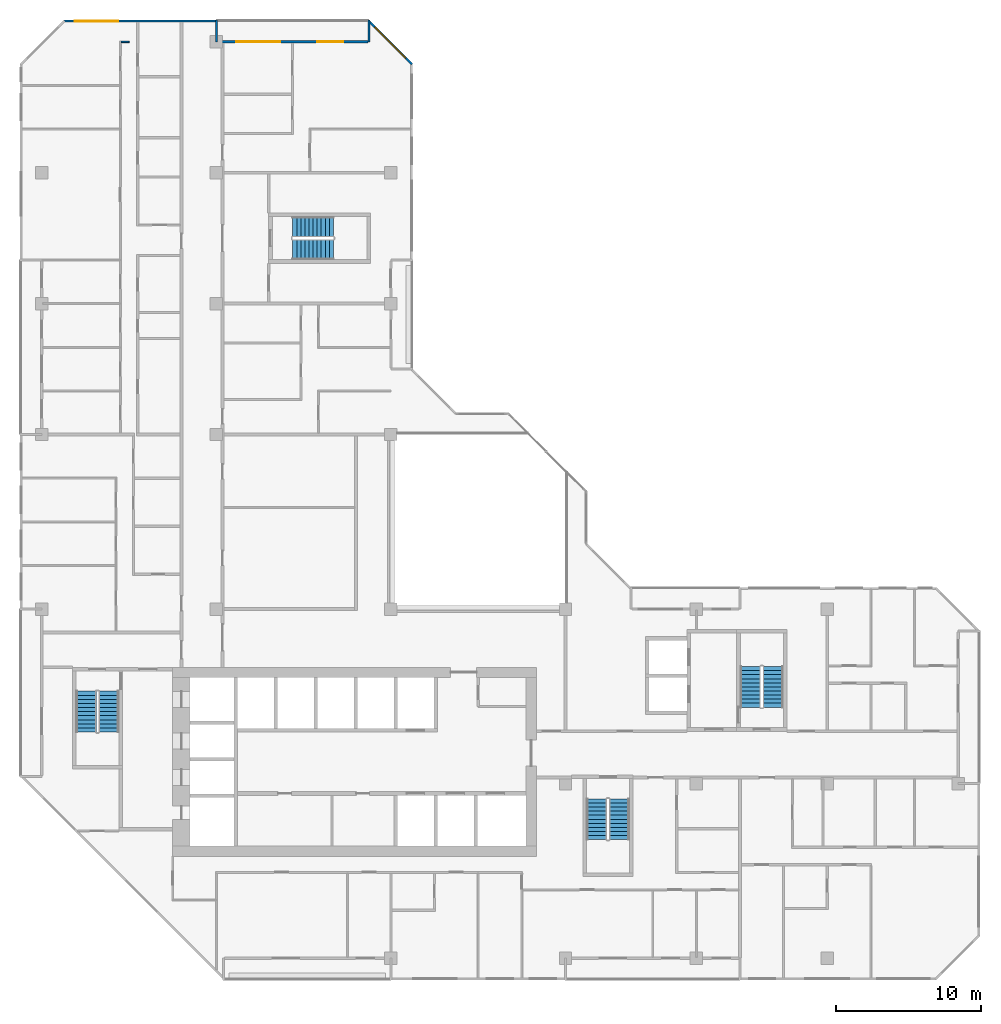
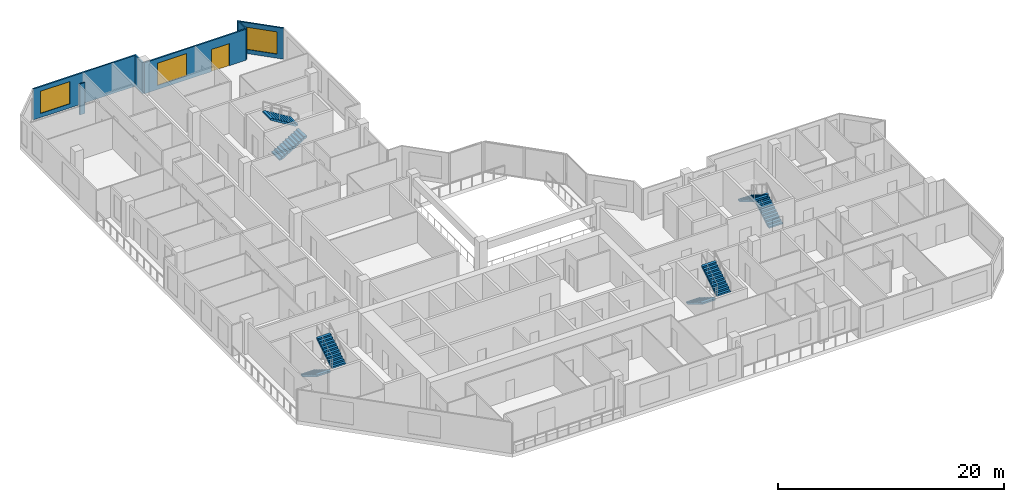
# One storey, part 13 of 15: 8 stair flights, 6 walls, 3 windows, 1 door, 4 openings, 4 elements without a shape of their own.
"""IFC4 building model written with IfcOpenShell, lengths in metres."""

from ifc_helpers import new_model, si_unit, direction, frame, frame_2d, origin, place, context, subcontext, project, spatial, polyline, rectangle, outline, extrude, material, layer, layer_set, type_object, element, fill, aggregate, save


model = new_model("IFC4")

# Units and contexts
model_context = context("Model", 3, precision=1e-05, world=origin(), true_north=direction((0.0, 1.0)))
body_context = subcontext(model_context, "Body", "Model", "MODEL_VIEW")
ifc_project = project(units=[si_unit("LENGTHUNIT", "METRE"), si_unit("AREAUNIT", "SQUARE_METRE"), si_unit("VOLUMEUNIT", "CUBIC_METRE"), si_unit("PLANEANGLEUNIT", "RADIAN"), si_unit("MASSUNIT", "GRAM", prefix="KILO")], contexts=[model_context])

# Site, building, storey
site_placement = place(None, origin())
site = spatial("IfcSite", under=ifc_project, at=site_placement, CompositionType="ELEMENT")
building_placement = place(site_placement, origin())
building = spatial("IfcBuilding", under=site, at=building_placement, Name="Chenar Terraces", CompositionType="ELEMENT")
storey_placement = place(building_placement, frame((0.0, 0.0, 249.14990234375)))
storey = spatial("IfcBuildingStorey", under=building, at=storey_placement, Name="L59", CompositionType="ELEMENT", Elevation=249.14990234375)

# Wall, opening, window
ifc_material_1 = material(Name="Aluminium framed glazing", Category="aluminium")
ifc_layer_1 = layer(ifc_material_1, 0.14990234375)
ifc_layer_set_1 = layer_set([ifc_layer_1], Name="Aluminium framed glazing")
wall_type_1 = type_object("IfcWallType", Name="Glazed flush facade wall 150", PredefinedType="SOLIDWALL", material=ifc_layer_set_1)
wall_1_placement = place(storey_placement, frame((11.925048828125, 64.425048828125, 0.0), z_axis=(0.0, 0.0, 1.0), x_axis=(-1.0, 0.0, 0.0)))
wall_1 = element("IfcWall", 1, at=wall_1_placement, inside=storey, type_object=wall_type_1, Name="Glazed flush facade wall", PredefinedType="SOLIDWALL", context=body_context, shape_type="SweptSolid", body=[
    extrude(rectangle(XDim=10.425048828125, YDim=0.14990234375, at=frame_2d((5.21240234375, 0.0))), origin(), (0.0, 0.0, 1.0), 3.35009765625),
])
opening_1_placement = place(wall_1_placement, frame((6.675048828125, 0.0, 0.449951171875)))
opening_1 = element("IfcOpeningElement", 2, at=opening_1_placement, cuts=wall_1, Name="Opening W300x240", PredefinedType="OPENING", context=body_context, shape_type="SweptSolid", body=[
    extrude(rectangle(XDim=3.0, YDim=2.39990234375, at=frame_2d((1.5, 1.199951171875))), frame((0.0, 0.0849609375, 0.0), z_axis=(0.0, -1.0, 0.0), x_axis=(1.0, 0.0, 0.0)), (0.0, 0.0, 1.0), 0.169921875),
])
ifc_material_2 = material(Name="Low emissivity double glazing, aluminium frame", Category="aluminium")
window_type = type_object("IfcWindowType", Name="Fixed light 3000 x 2400", PartitioningType="SINGLE_PANEL", PredefinedType="WINDOW", material=ifc_material_2)
window_1_placement = place(opening_1_placement, origin())
window_1 = element("IfcWindow", 3, at=window_1_placement, inside=storey, type_object=window_type, Name="Window", OverallHeight=2.39990234375, OverallWidth=3.0, PartitioningType="SINGLE_PANEL", PredefinedType="WINDOW", context=body_context, shape_type="SweptSolid", body=[
    extrude(rectangle(XDim=3.0, YDim=2.39990234375, at=frame_2d((1.5, 1.199951171875))), frame((0.0, 0.030029296875, 0.0), z_axis=(0.0, -1.0, 0.0), x_axis=(1.0, 0.0, 0.0)), (0.0, 0.0, 1.0), 0.06005859375),
])
fill(opening_1, window_1)

# Wall, openings, window, door
ifc_material_3 = material(Name="Aluminium framed glazing", Category="aluminium")
ifc_layer_2 = layer(ifc_material_3, 0.14990234375)
ifc_layer_set_2 = layer_set([ifc_layer_2], Name="Aluminium framed glazing")
wall_type_2 = type_object("IfcWallType", Name="Glazed loggia back wall 150", PredefinedType="SOLIDWALL", material=ifc_layer_set_2)
wall_2_placement = place(storey_placement, frame((22.425048828125, 63.0, 0.0), z_axis=(0.0, 0.0, 1.0), x_axis=(-1.0, 0.0, 0.0)))
wall_2 = element("IfcWall", 4, at=wall_2_placement, inside=storey, type_object=wall_type_2, Name="Glazed loggia back wall", PredefinedType="SOLIDWALL", context=body_context, shape_type="SweptSolid", body=[
    extrude(rectangle(XDim=10.35009765625, YDim=0.14990234375, at=frame_2d((5.175048828125, 0.0))), origin(), (0.0, 0.0, 1.0), 3.35009765625),
])
opening_2_placement = place(wall_2_placement, frame((1.699951171875, 0.0, 0.0)))
opening_2 = element("IfcOpeningElement", 5, at=opening_2_placement, cuts=wall_2, Name="Opening DL59-G2", PredefinedType="OPENING", context=body_context, shape_type="SweptSolid", body=[
    extrude(rectangle(XDim=1.800048828125, YDim=2.39990234375, at=frame_2d((0.89990234375, 1.199951171875))), frame((0.0, 0.0849609375, 0.0), z_axis=(0.0, -1.0, 0.0), x_axis=(1.0, 0.0, 0.0)), (0.0, 0.0, 1.0), 0.169921875),
])
opening_3_placement = place(wall_2_placement, frame((6.050048828125, 0.0, 0.449951171875)))
opening_3 = element("IfcOpeningElement", 6, at=opening_3_placement, cuts=wall_2, Name="Opening W300x240", PredefinedType="OPENING", context=body_context, shape_type="SweptSolid", body=[
    extrude(rectangle(XDim=3.0, YDim=2.39990234375, at=frame_2d((1.5, 1.199951171875))), frame((0.0, 0.0849609375, 0.0), z_axis=(0.0, -1.0, 0.0), x_axis=(1.0, 0.0, 0.0)), (0.0, 0.0, 1.0), 0.169921875),
])
window_2_placement = place(opening_3_placement, origin())
window_2 = element("IfcWindow", 7, at=window_2_placement, inside=storey, type_object=window_type, Name="Window", OverallHeight=2.39990234375, OverallWidth=3.0, PartitioningType="SINGLE_PANEL", PredefinedType="WINDOW", context=body_context, shape_type="SweptSolid", body=[
    extrude(rectangle(XDim=3.0, YDim=2.39990234375, at=frame_2d((1.5, 1.199951171875))), frame((0.0, 0.030029296875, 0.0), z_axis=(0.0, -1.0, 0.0), x_axis=(1.0, 0.0, 0.0)), (0.0, 0.0, 1.0), 0.06005859375),
])
fill(opening_3, window_2)
ifc_material_4 = material(Name="Low emissivity double glazing, aluminium frame", Category="aluminium")
door_type = type_object("IfcDoorType", Name="Loggia glazed double door 1800 x 2400", OperationType="DOUBLE_DOOR_SINGLE_SWING", PredefinedType="DOOR", material=ifc_material_4)
door_placement = place(opening_2_placement, frame((1.800048828125, 0.0, 0.0), z_axis=(0.0, 0.0, 1.0), x_axis=(-1.0, 0.0, 0.0)))
door = element("IfcDoor", 8, at=door_placement, inside=storey, type_object=door_type, Name="Loggia glazed door", OperationType="DOUBLE_DOOR_SINGLE_SWING", OverallHeight=2.39990234375, OverallWidth=1.800048828125, PredefinedType="DOOR", context=body_context, shape_type="SweptSolid", body=[
    extrude(rectangle(XDim=1.800048828125, YDim=2.39990234375, at=frame_2d((0.89990234375, 1.199951171875))), frame((0.0, 0.02490234375, 0.0), z_axis=(0.0, -1.0, 0.0), x_axis=(1.0, 0.0, 0.0)), (0.0, 0.0, 1.0), 0.050048828125),
])
fill(opening_2, door)

# Walls
ifc_material_5 = material(Name="Gypsum board on steel studs", Category="steel")
ifc_layer_3 = layer(ifc_material_5, 0.10009765625)
ifc_layer_set_3 = layer_set([ifc_layer_3], Name="Gypsum board on steel studs")
wall_type_3 = type_object("IfcWallType", Name="Gypsum partition 100", PredefinedType="PARTITIONING", material=ifc_layer_set_3)
wall_3_placement = place(storey_placement, frame((5.449951171875, 63.0, 0.0), z_axis=(0.0, 0.0, 1.0), x_axis=(1.0, 0.0, 0.0)))
element("IfcWall", 9, at=wall_3_placement, inside=storey, type_object=wall_type_3, Name="Partition L59-016", PredefinedType="PARTITIONING", context=body_context, shape_type="SweptSolid", body=[
    extrude(rectangle(XDim=0.550048828125, YDim=0.10009765625, at=frame_2d((0.27490234375, 0.0))), origin(), (0.0, 0.0, 1.0), 3.35009765625),
])
ifc_material_6 = material(Name="Terracotta cladding on insulated backing", Category="masonry")
ifc_layer_4 = layer(ifc_material_6, 0.14990234375)
ifc_layer_set_4 = layer_set([ifc_layer_4], Name="Terracotta cladding on insulated backing")
wall_type_4 = type_object("IfcWallType", Name="Loggia return wall 150", PredefinedType="SOLIDWALL", material=ifc_layer_set_4)
for number, where, z_axis, x_axis, name in (
    (10, (22.5, 64.5, 0.0), (0.0, 0.0, 1.0), (0.0, -1.0, 0.0), "Loggia return wall"),
    (11, (12.0, 64.5, 0.0), (0.0, 0.0, 1.0), (0.0, -1.0, 0.0), "Loggia return wall"),
):
    element("IfcWall", number, at=place(storey_placement, frame(where, z_axis=z_axis, x_axis=x_axis)), inside=storey, type_object=wall_type_4, Name=name, PredefinedType="SOLIDWALL", context=body_context, shape_type="SweptSolid", body=[
        extrude(rectangle(XDim=1.5, YDim=0.14990234375, at=frame_2d((0.75, 0.0))), origin(), (0.0, 0.0, 1.0), 3.35009765625),
    ])

# Wall, opening, window
ifc_material_7 = material(Name="Terracotta cladding on insulated backing", Category="masonry")
ifc_layer_5 = layer(ifc_material_7, 0.14990234375)
ifc_layer_set_5 = layer_set([ifc_layer_5], Name="Terracotta cladding on insulated backing")
wall_type_5 = type_object("IfcWallType", Name="Terracotta rainscreen wall 150", PredefinedType="SOLIDWALL", material=ifc_layer_set_5)
wall_4_placement = place(storey_placement, frame((25.447021484375, 61.447021484375, 0.0), z_axis=(0.0, 0.0, 1.0), x_axis=(-0.707106781187, 0.707106781187, 0.0)))
wall_4 = element("IfcWall", 12, at=wall_4_placement, inside=storey, type_object=wall_type_5, Name="Terracotta rainscreen wall", PredefinedType="SOLIDWALL", context=body_context, shape_type="SweptSolid", body=[
    extrude(rectangle(XDim=4.24267578125, YDim=0.14990234375, at=frame_2d((2.121337890625, 0.0))), origin(), (0.0, 0.0, 1.0), 3.35009765625),
])
opening_4_placement = place(wall_4_placement, frame((0.621337890625, 0.0, 0.449951171875)))
opening_4 = element("IfcOpeningElement", 13, at=opening_4_placement, cuts=wall_4, Name="Opening W300x240", PredefinedType="OPENING", context=body_context, shape_type="SweptSolid", body=[
    extrude(rectangle(XDim=3.0, YDim=2.39990234375, at=frame_2d((1.5, 1.199951171875))), frame((0.0, 0.0849609375, 0.0), z_axis=(0.0, -1.0, 0.0), x_axis=(1.0, 0.0, 0.0)), (0.0, 0.0, 1.0), 0.169921875),
])
window_3_placement = place(opening_4_placement, origin())
window_3 = element("IfcWindow", 14, at=window_3_placement, inside=storey, type_object=window_type, Name="Window", OverallHeight=2.39990234375, OverallWidth=3.0, PartitioningType="SINGLE_PANEL", PredefinedType="WINDOW", context=body_context, shape_type="SweptSolid", body=[
    extrude(rectangle(XDim=3.0, YDim=2.39990234375, at=frame_2d((1.5, 1.199951171875))), frame((0.0, 0.030029296875, 0.0), z_axis=(0.0, -1.0, 0.0), x_axis=(1.0, 0.0, 0.0)), (0.0, 0.0, 1.0), 0.06005859375),
])
fill(opening_4, window_3)

# Stair, stair flights
ifc_material_8 = material(Name="Reinforced concrete C40/50", Category="concrete")
stair_type = type_object("IfcStairType", Name="Core stair 1400 half-turn", PredefinedType="HALF_TURN_STAIR", material=ifc_material_8)
placement = place(storey_placement, origin())
stair_1 = element("IfcStair", 15, at=placement, inside=storey, type_object=stair_type, Name="L59 Stair 1", PredefinedType="HALF_TURN_STAIR")
ifc_material_9 = material(Name="Reinforced concrete C40/50", Category="concrete")
stair_flight_type = type_object("IfcStairFlightType", Name="Core stair flight 1400", PredefinedType="STRAIGHT", material=ifc_material_9)
stair_flight_1_placement = place(storey_placement, frame((3.050048828125, 18.35009765625, 0.0), z_axis=(0.0, 0.0, 1.0), x_axis=(0.0, -1.0, 0.0)))
stair_flight_1 = element("IfcStairFlight", 16, at=stair_flight_1_placement, type_object=stair_flight_type, Name="ST1 flight 1", NumberOfRisers=11, NumberOfTreads=10, PredefinedType="STRAIGHT", RiserHeight=0.170454545, TreadLength=0.28, context=body_context, shape_type="SweptSolid", body=[
    extrude(outline(polyline([(-0.0029296875, 0.0), (-0.0029296875, 0.17041015625), (0.0, 0.17041015625), (0.280029296875, 0.17041015625), (0.280029296875, 0.3408203125), (0.56005859375, 0.3408203125), (0.56005859375, 0.511474609375), (0.840087890625, 0.511474609375), (0.840087890625, 0.681884765625), (1.1201171875, 0.681884765625), (1.1201171875, 0.852294921875), (1.39990234375, 0.852294921875), (1.39990234375, 1.022705078125), (1.679931640625, 1.022705078125), (1.679931640625, 1.193115234375), (1.9599609375, 1.193115234375), (1.9599609375, 1.363525390625), (2.239990234375, 1.363525390625), (2.239990234375, 1.5341796875), (2.52001953125, 1.5341796875), (2.52001953125, 1.70458984375), (2.800048828125, 1.70458984375), (2.802978515625, 1.70458984375), (2.802978515625, 1.529052734375), (2.800048828125, 1.529052734375), (0.288330078125, 0.0), (-0.0029296875, 0.0)])), frame((0.0, 0.699951171875, 0.0), z_axis=(0.0, -1.0, 0.0), x_axis=(1.0, 0.0, 0.0)), (0.0, 0.0, 1.0), 1.39990234375),
])
stair_flight_2_placement = place(storey_placement, frame((4.60009765625, 15.550048828125, 1.875), z_axis=(0.0, 0.0, 1.0), x_axis=(0.0, 1.0, 0.0)))
stair_flight_2 = element("IfcStairFlight", 17, at=stair_flight_2_placement, type_object=stair_flight_type, Name="ST1 flight 2", NumberOfRisers=11, NumberOfTreads=10, PredefinedType="STRAIGHT", RiserHeight=0.170454545, TreadLength=0.28, context=body_context, shape_type="SweptSolid", body=[
    extrude(outline(polyline([(-0.0029296875, 0.0), (-0.0029296875, 0.17041015625), (0.0, 0.17041015625), (0.280029296875, 0.17041015625), (0.280029296875, 0.3408203125), (0.56005859375, 0.3408203125), (0.56005859375, 0.511474609375), (0.840087890625, 0.511474609375), (0.840087890625, 0.681884765625), (1.1201171875, 0.681884765625), (1.1201171875, 0.852294921875), (1.39990234375, 0.852294921875), (1.39990234375, 1.022705078125), (1.679931640625, 1.022705078125), (1.679931640625, 1.193115234375), (1.9599609375, 1.193115234375), (1.9599609375, 1.363525390625), (2.239990234375, 1.363525390625), (2.239990234375, 1.5341796875), (2.52001953125, 1.5341796875), (2.52001953125, 1.70458984375), (2.800048828125, 1.70458984375), (2.802978515625, 1.70458984375), (2.802978515625, 1.529052734375), (2.800048828125, 1.529052734375), (0.288330078125, 0.0), (-0.0029296875, 0.0)])), frame((0.0, 0.699951171875, 0.0), z_axis=(0.0, -1.0, 0.0), x_axis=(1.0, 0.0, 0.0)), (0.0, 0.0, 1.0), 1.39990234375),
])
aggregate(stair_1, [stair_flight_1, stair_flight_2])

stair_2 = element("IfcStair", 18, at=placement, inside=storey, type_object=stair_type, Name="L59 Stair 2", PredefinedType="HALF_TURN_STAIR")
stair_flight_3_placement = place(storey_placement, frame((38.14990234375, 10.949951171875, 0.0), z_axis=(0.0, 0.0, 1.0), x_axis=(0.0, -1.0, 0.0)))
stair_flight_3 = element("IfcStairFlight", 19, at=stair_flight_3_placement, type_object=stair_flight_type, Name="ST2 flight 1", NumberOfRisers=11, NumberOfTreads=10, PredefinedType="STRAIGHT", RiserHeight=0.170454545, TreadLength=0.28, context=body_context, shape_type="SweptSolid", body=[
    extrude(outline(polyline([(-0.0029296875, 0.0), (-0.0029296875, 0.17041015625), (0.0, 0.17041015625), (0.280029296875, 0.17041015625), (0.280029296875, 0.3408203125), (0.56005859375, 0.3408203125), (0.56005859375, 0.511474609375), (0.840087890625, 0.511474609375), (0.840087890625, 0.681884765625), (1.1201171875, 0.681884765625), (1.1201171875, 0.852294921875), (1.39990234375, 0.852294921875), (1.39990234375, 1.022705078125), (1.679931640625, 1.022705078125), (1.679931640625, 1.193115234375), (1.9599609375, 1.193115234375), (1.9599609375, 1.363525390625), (2.239990234375, 1.363525390625), (2.239990234375, 1.5341796875), (2.52001953125, 1.5341796875), (2.52001953125, 1.70458984375), (2.800048828125, 1.70458984375), (2.802978515625, 1.70458984375), (2.802978515625, 1.529052734375), (2.800048828125, 1.529052734375), (0.288330078125, 0.0), (-0.0029296875, 0.0)])), frame((0.0, 0.699951171875, 0.0), z_axis=(0.0, -1.0, 0.0), x_axis=(1.0, 0.0, 0.0)), (0.0, 0.0, 1.0), 1.39990234375),
])
stair_flight_4_placement = place(storey_placement, frame((39.699951171875, 8.14990234375, 1.875), z_axis=(0.0, 0.0, 1.0), x_axis=(0.0, 1.0, 0.0)))
stair_flight_4 = element("IfcStairFlight", 20, at=stair_flight_4_placement, type_object=stair_flight_type, Name="ST2 flight 2", NumberOfRisers=11, NumberOfTreads=10, PredefinedType="STRAIGHT", RiserHeight=0.170454545, TreadLength=0.28, context=body_context, shape_type="SweptSolid", body=[
    extrude(outline(polyline([(-0.0029296875, 0.0), (-0.0029296875, 0.17041015625), (0.0, 0.17041015625), (0.280029296875, 0.17041015625), (0.280029296875, 0.3408203125), (0.56005859375, 0.3408203125), (0.56005859375, 0.511474609375), (0.840087890625, 0.511474609375), (0.840087890625, 0.681884765625), (1.1201171875, 0.681884765625), (1.1201171875, 0.852294921875), (1.39990234375, 0.852294921875), (1.39990234375, 1.022705078125), (1.679931640625, 1.022705078125), (1.679931640625, 1.193115234375), (1.9599609375, 1.193115234375), (1.9599609375, 1.363525390625), (2.239990234375, 1.363525390625), (2.239990234375, 1.5341796875), (2.52001953125, 1.5341796875), (2.52001953125, 1.70458984375), (2.800048828125, 1.70458984375), (2.802978515625, 1.70458984375), (2.802978515625, 1.529052734375), (2.800048828125, 1.529052734375), (0.288330078125, 0.0), (-0.0029296875, 0.0)])), frame((0.0, 0.699951171875, 0.0), z_axis=(0.0, -1.0, 0.0), x_axis=(1.0, 0.0, 0.0)), (0.0, 0.0, 1.0), 1.39990234375),
])
aggregate(stair_2, [stair_flight_3, stair_flight_4])

stair_3 = element("IfcStair", 21, at=placement, inside=storey, type_object=stair_type, Name="L59 Stair 3", PredefinedType="HALF_TURN_STAIR")
stair_flight_5_placement = place(storey_placement, frame((50.27490234375, 17.25, 0.0), z_axis=(0.0, 0.0, 1.0), x_axis=(0.0, 1.0, 0.0)))
stair_flight_5 = element("IfcStairFlight", 22, at=stair_flight_5_placement, type_object=stair_flight_type, Name="ST3 flight 1", NumberOfRisers=11, NumberOfTreads=10, PredefinedType="STRAIGHT", RiserHeight=0.170454545, TreadLength=0.28, context=body_context, shape_type="SweptSolid", body=[
    extrude(outline(polyline([(-0.0029296875, 0.0), (-0.0029296875, 0.17041015625), (0.0, 0.17041015625), (0.280029296875, 0.17041015625), (0.280029296875, 0.3408203125), (0.56005859375, 0.3408203125), (0.56005859375, 0.511474609375), (0.840087890625, 0.511474609375), (0.840087890625, 0.681884765625), (1.1201171875, 0.681884765625), (1.1201171875, 0.852294921875), (1.39990234375, 0.852294921875), (1.39990234375, 1.022705078125), (1.679931640625, 1.022705078125), (1.679931640625, 1.193115234375), (1.9599609375, 1.193115234375), (1.9599609375, 1.363525390625), (2.239990234375, 1.363525390625), (2.239990234375, 1.5341796875), (2.52001953125, 1.5341796875), (2.52001953125, 1.70458984375), (2.800048828125, 1.70458984375), (2.802978515625, 1.70458984375), (2.802978515625, 1.529052734375), (2.800048828125, 1.529052734375), (0.288330078125, 0.0), (-0.0029296875, 0.0)])), frame((0.0, 0.699951171875, 0.0), z_axis=(0.0, -1.0, 0.0), x_axis=(1.0, 0.0, 0.0)), (0.0, 0.0, 1.0), 1.39990234375),
])
stair_flight_6_placement = place(storey_placement, frame((48.72509765625, 20.050048828125, 1.875), z_axis=(0.0, 0.0, 1.0), x_axis=(0.0, -1.0, 0.0)))
stair_flight_6 = element("IfcStairFlight", 23, at=stair_flight_6_placement, type_object=stair_flight_type, Name="ST3 flight 2", NumberOfRisers=11, NumberOfTreads=10, PredefinedType="STRAIGHT", RiserHeight=0.170454545, TreadLength=0.28, context=body_context, shape_type="SweptSolid", body=[
    extrude(outline(polyline([(-0.0029296875, 0.0), (-0.0029296875, 0.17041015625), (0.0, 0.17041015625), (0.280029296875, 0.17041015625), (0.280029296875, 0.3408203125), (0.56005859375, 0.3408203125), (0.56005859375, 0.511474609375), (0.840087890625, 0.511474609375), (0.840087890625, 0.681884765625), (1.1201171875, 0.681884765625), (1.1201171875, 0.852294921875), (1.39990234375, 0.852294921875), (1.39990234375, 1.022705078125), (1.679931640625, 1.022705078125), (1.679931640625, 1.193115234375), (1.9599609375, 1.193115234375), (1.9599609375, 1.363525390625), (2.239990234375, 1.363525390625), (2.239990234375, 1.5341796875), (2.52001953125, 1.5341796875), (2.52001953125, 1.70458984375), (2.800048828125, 1.70458984375), (2.802978515625, 1.70458984375), (2.802978515625, 1.529052734375), (2.800048828125, 1.529052734375), (0.288330078125, 0.0), (-0.0029296875, 0.0)])), frame((0.0, 0.699951171875, 0.0), z_axis=(0.0, -1.0, 0.0), x_axis=(1.0, 0.0, 0.0)), (0.0, 0.0, 1.0), 1.39990234375),
])
aggregate(stair_3, [stair_flight_5, stair_flight_6])

stair_4 = element("IfcStair", 24, at=placement, inside=storey, type_object=stair_type, Name="L59 Stair 4", PredefinedType="HALF_TURN_STAIR")
stair_flight_7_placement = place(storey_placement, frame((17.25, 48.72509765625, 0.0), z_axis=(0.0, 0.0, 1.0), x_axis=(1.0, 0.0, 0.0)))
stair_flight_7 = element("IfcStairFlight", 25, at=stair_flight_7_placement, type_object=stair_flight_type, Name="ST4 flight 1", NumberOfRisers=11, NumberOfTreads=10, PredefinedType="STRAIGHT", RiserHeight=0.170454545, TreadLength=0.28, context=body_context, shape_type="SweptSolid", body=[
    extrude(outline(polyline([(-0.0029296875, 0.0), (-0.0029296875, 0.17041015625), (0.0, 0.17041015625), (0.280029296875, 0.17041015625), (0.280029296875, 0.3408203125), (0.56005859375, 0.3408203125), (0.56005859375, 0.511474609375), (0.840087890625, 0.511474609375), (0.840087890625, 0.681884765625), (1.1201171875, 0.681884765625), (1.1201171875, 0.852294921875), (1.39990234375, 0.852294921875), (1.39990234375, 1.022705078125), (1.679931640625, 1.022705078125), (1.679931640625, 1.193115234375), (1.9599609375, 1.193115234375), (1.9599609375, 1.363525390625), (2.239990234375, 1.363525390625), (2.239990234375, 1.5341796875), (2.52001953125, 1.5341796875), (2.52001953125, 1.70458984375), (2.800048828125, 1.70458984375), (2.802978515625, 1.70458984375), (2.802978515625, 1.529052734375), (2.800048828125, 1.529052734375), (0.288330078125, 0.0), (-0.0029296875, 0.0)])), frame((0.0, 0.699951171875, 0.0), z_axis=(0.0, -1.0, 0.0), x_axis=(1.0, 0.0, 0.0)), (0.0, 0.0, 1.0), 1.39990234375),
])
stair_flight_8_placement = place(storey_placement, frame((20.050048828125, 50.27490234375, 1.875), z_axis=(0.0, 0.0, 1.0), x_axis=(-1.0, 0.0, 0.0)))
stair_flight_8 = element("IfcStairFlight", 26, at=stair_flight_8_placement, type_object=stair_flight_type, Name="ST4 flight 2", NumberOfRisers=11, NumberOfTreads=10, PredefinedType="STRAIGHT", RiserHeight=0.170454545, TreadLength=0.28, context=body_context, shape_type="SweptSolid", body=[
    extrude(outline(polyline([(-0.0029296875, 0.0), (-0.0029296875, 0.17041015625), (0.0, 0.17041015625), (0.280029296875, 0.17041015625), (0.280029296875, 0.3408203125), (0.56005859375, 0.3408203125), (0.56005859375, 0.511474609375), (0.840087890625, 0.511474609375), (0.840087890625, 0.681884765625), (1.1201171875, 0.681884765625), (1.1201171875, 0.852294921875), (1.39990234375, 0.852294921875), (1.39990234375, 1.022705078125), (1.679931640625, 1.022705078125), (1.679931640625, 1.193115234375), (1.9599609375, 1.193115234375), (1.9599609375, 1.363525390625), (2.239990234375, 1.363525390625), (2.239990234375, 1.5341796875), (2.52001953125, 1.5341796875), (2.52001953125, 1.70458984375), (2.800048828125, 1.70458984375), (2.802978515625, 1.70458984375), (2.802978515625, 1.529052734375), (2.800048828125, 1.529052734375), (0.288330078125, 0.0), (-0.0029296875, 0.0)])), frame((0.0, 0.699951171875, 0.0), z_axis=(0.0, -1.0, 0.0), x_axis=(1.0, 0.0, 0.0)), (0.0, 0.0, 1.0), 1.39990234375),
])
aggregate(stair_4, [stair_flight_7, stair_flight_8])

save(model, "model.ifc")
